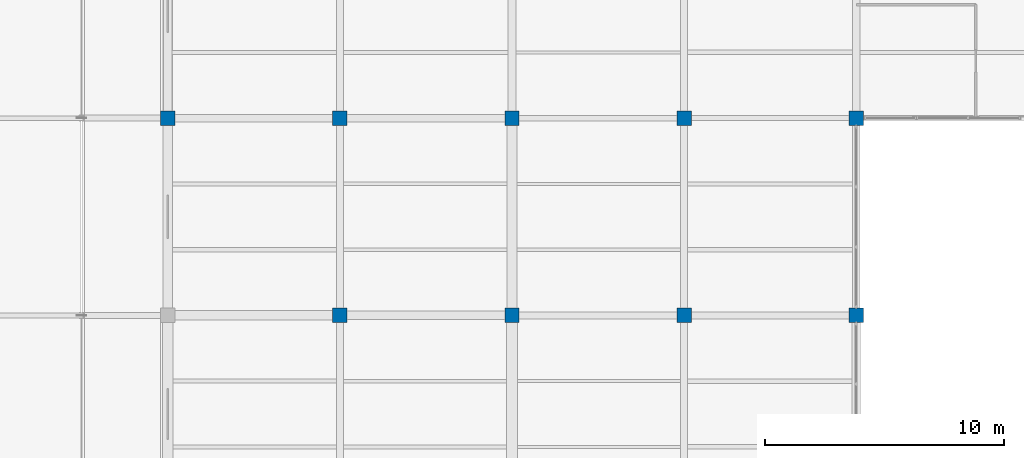
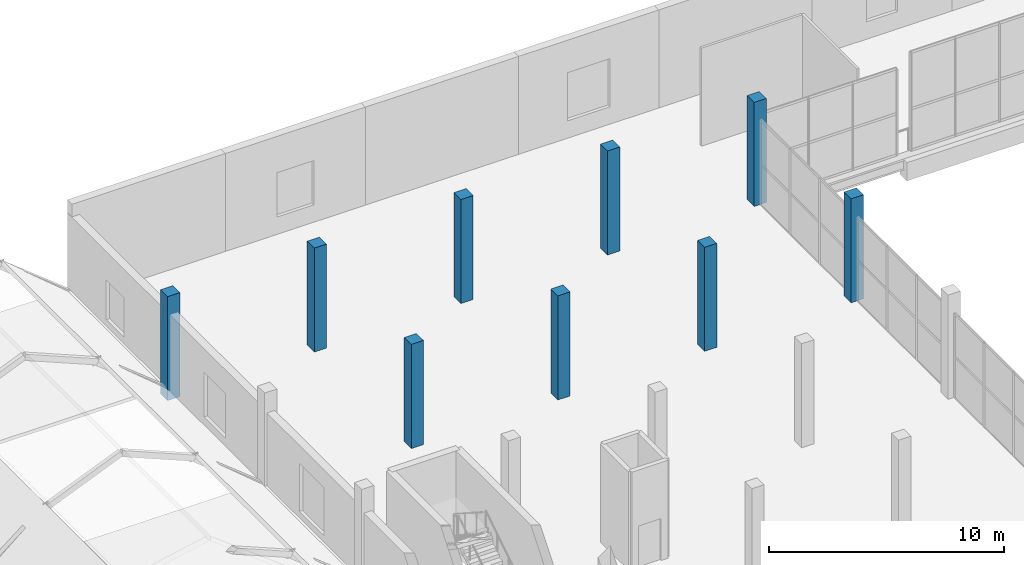
# One storey, part 8 of 141: 9 columns.
"""IFC4 building model written with IfcOpenShell, lengths in metres."""

from ifc_helpers import new_model, si_unit, direction, frame, origin, origin_2d, place, context, subcontext, project, spatial, rectangle, extrude, material, material_profile, profile_set, type_object, element, save


model = new_model("IFC4")

# Units and contexts
model_context = context("Model", 3, precision=1e-05, world=origin(), true_north=direction((0.0, 1.0)))
body_context = subcontext(model_context, "Body", "Model", "MODEL_VIEW")
ifc_project = project(units=[si_unit("LENGTHUNIT", "METRE"), si_unit("AREAUNIT", "SQUARE_METRE"), si_unit("VOLUMEUNIT", "CUBIC_METRE"), si_unit("PLANEANGLEUNIT", "RADIAN"), si_unit("MASSUNIT", "GRAM", prefix="KILO")], contexts=[model_context])

# Site, building, storey
site_placement = place(None, origin())
site = spatial("IfcSite", under=ifc_project, at=site_placement, CompositionType="ELEMENT")
building_placement = place(site_placement, origin())
building = spatial("IfcBuilding", under=site, at=building_placement, Name="Sundgate Opera House", CompositionType="ELEMENT")
storey_placement = place(building_placement, frame((0.0, 0.0, 11.39990234375)))
storey = spatial("IfcBuildingStorey", under=building, at=storey_placement, Name="L02", CompositionType="ELEMENT", Elevation=11.39990234375)

# Columns
ifc_material = material(Name="Concrete C35/45", Category="concrete")
ifc_material_profile = material_profile(ifc_material, rectangle(XDim=0.60009765625, YDim=0.60009765625, at=origin_2d()), Name="RC 600x600")
ifc_profile_set = profile_set([ifc_material_profile], Name="Concrete C35/45")
column_type = type_object("IfcColumnType", Name="CL-RC-600", PredefinedType="COLUMN", material=ifc_profile_set)
for number, where, z_axis, x_axis, name in (
    (1, (95.39990234375, 111.75, 0.0), (0.0, 0.0, 1.0), (1.0, 0.0, 0.0), "L02 Column C0689"),
    (2, (102.60009765625, 103.5, 0.0), (0.0, 0.0, 1.0), (1.0, 0.0, 0.0), "L02 Column C0747"),
    (3, (102.60009765625, 111.75, 0.0), (0.0, 0.0, 1.0), (1.0, 0.0, 0.0), "L02 Column C0753"),
    (4, (109.800048828125, 103.5, 0.0), (0.0, 0.0, 1.0), (1.0, 0.0, 0.0), "L02 Column C0808"),
    (5, (109.800048828125, 111.75, 0.0), (0.0, 0.0, 1.0), (1.0, 0.0, 0.0), "L02 Column C0814"),
    (6, (117.0, 103.5, 0.0), (0.0, 0.0, 1.0), (1.0, 0.0, 0.0), "L02 Column C0872"),
    (7, (117.0, 111.75, 0.0), (0.0, 0.0, 1.0), (1.0, 0.0, 0.0), "L02 Column C0878"),
    (8, (124.199951171875, 103.5, 0.0), (0.0, 0.0, 1.0), (1.0, 0.0, 0.0), "L02 Column C0935"),
    (9, (124.199951171875, 111.75, 0.0), (0.0, 0.0, 1.0), (1.0, 0.0, 0.0), "L02 Column C0941"),
):
    element("IfcColumn", number, at=place(storey_placement, frame(where, z_axis=z_axis, x_axis=x_axis)), inside=storey, type_object=column_type, Name=name, PredefinedType="COLUMN", context=body_context, shape_type="SweptSolid", body=[
        extrude(rectangle(XDim=0.60009765625, YDim=0.60009765625, at=origin_2d()), origin(), (0.0, 0.0, 1.0), 5.400146484375),
    ])

save(model, "model.ifc")
